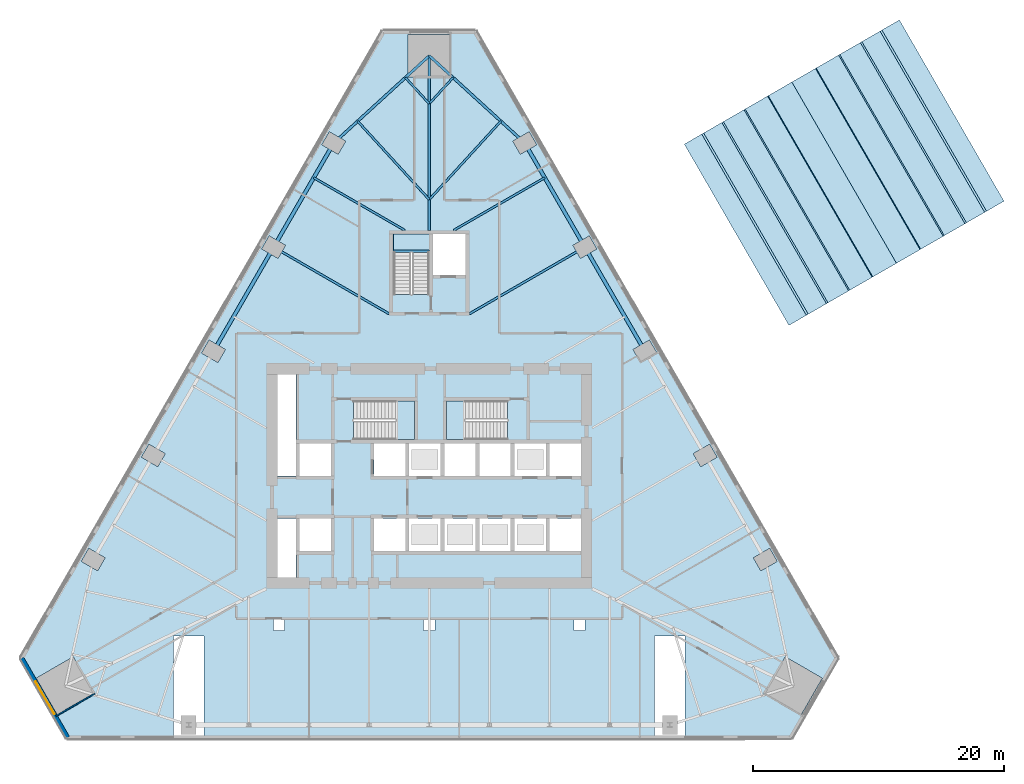
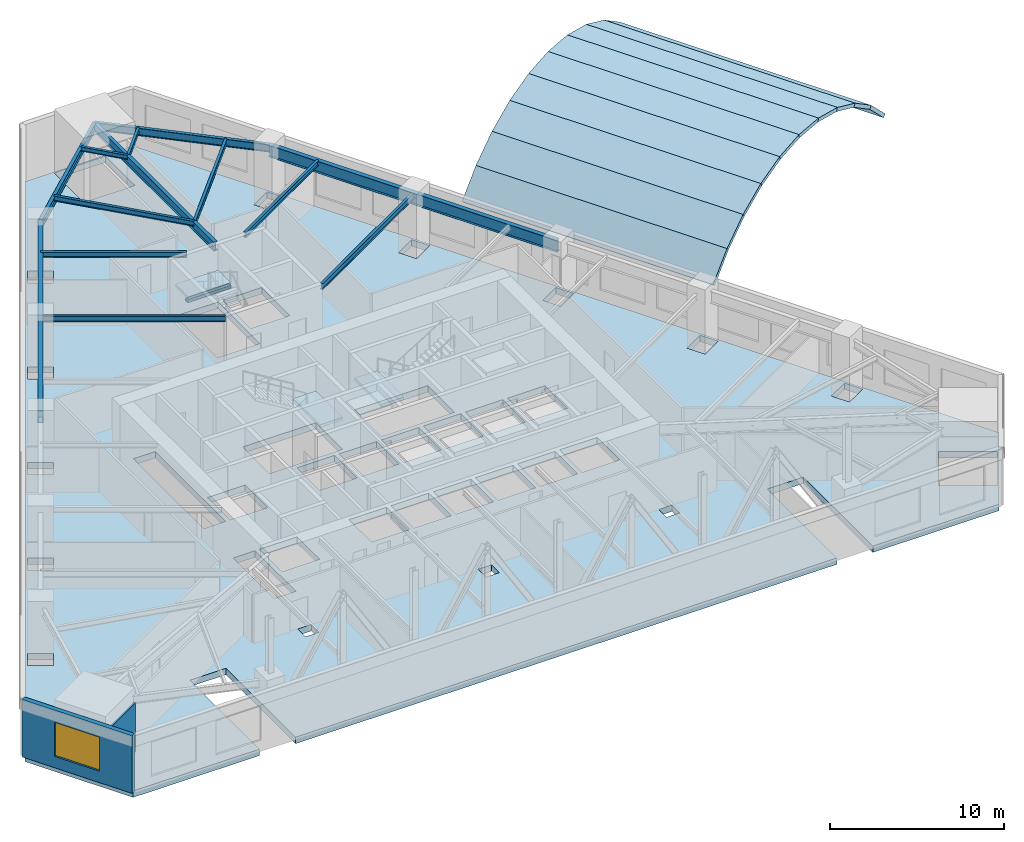
# One storey, part 4 of 11: 14 beams, 14 slabs, 2 walls, 1 window, 1 opening, 3 elements without a shape of their own.
"""IFC4 building model written with IfcOpenShell, lengths in metres."""

import ifcopenshell
import ifcopenshell.guid

model = None  # the IFC model being written
_history = None  # IfcOwnerHistory: only IFC2X3 demands one
_inside = {}  # id of a spatial element -> (the spatial element, [elements in it])
_under = {}  # id of a project, library or spatial element -> (it, [spatial elements below it])
_declared = {}  # id of a project -> (the project, [libraries it declares])
_typed = {}  # id of a type object -> (the type object, [elements of that type])
_made_of = {}  # id of a material, layer set ... -> (it, [elements and type objects made of it])


def new_model(schema):
    """Start an empty IFC model of exactly this schema.

    Asked for "IFC4X3", IfcOpenShell would pick the latest addendum, in which some entities
    have other attributes; the version numbers below select the first issue.
    IFC2X3 requires an IfcOwnerHistory on every rooted entity: one is made here for all.
    """
    global model, _history
    if schema == "IFC4X3":
        model = ifcopenshell.file(schema_version=(4, 3, 0, 0))
    else:
        model = ifcopenshell.file(schema=schema)
    _inside.clear()
    _under.clear()
    _declared.clear()
    _typed.clear()
    _made_of.clear()
    _history = None
    if model.schema == "IFC2X3":
        org = make("IfcOrganization", Name="unknown")
        user = make(
            "IfcPersonAndOrganization",
            ThePerson=make("IfcPerson", FamilyName="unknown"),
            TheOrganization=org,
        )
        app = make(
            "IfcApplication",
            ApplicationDeveloper=org,
            Version="unknown",
            ApplicationFullName="unknown",
            ApplicationIdentifier="unknown",
        )
        _history = make(
            "IfcOwnerHistory",
            OwningUser=user,
            OwningApplication=app,
            ChangeAction="ADDED",
            CreationDate=0,
        )
    return model


def make(cls, **values):
    """One entity of the class cls with the attributes given. An attribute that is None is left unset."""
    return model.create_entity(
        cls, **{name: value for name, value in values.items() if value is not None}
    )


def rooted(cls, **values):
    """An entity with a GlobalId (a new one), such as an element, a storey or a relation."""
    return make(cls, GlobalId=ifcopenshell.guid.new(), OwnerHistory=_history, **values)


def si_unit(unit_type, name, prefix=None):
    """IfcSIUnit, for example si_unit("LENGTHUNIT", "METRE", prefix="MILLI")."""
    return make("IfcSIUnit", UnitType=unit_type, Prefix=prefix, Name=name)


def assignment(units):
    """IfcUnitAssignment: the units of a project."""
    return None if units is None else make("IfcUnitAssignment", Units=units)


def point(xyz):
    """IfcCartesianPoint."""
    return None if xyz is None else make("IfcCartesianPoint", Coordinates=xyz)


def direction(xyz):
    """IfcDirection."""
    return None if xyz is None else make("IfcDirection", DirectionRatios=xyz)


def frame(location, z_axis=None, x_axis=None):
    """IfcAxis2Placement3D, a coordinate frame: its origin and axes. An axis left out is left unset."""
    return make(
        "IfcAxis2Placement3D",
        Location=point(location),
        Axis=direction(z_axis),
        RefDirection=direction(x_axis),
    )


def frame_2d(location, x_axis=None):
    """IfcAxis2Placement2D, a coordinate frame in the plane: its origin and x axis."""
    return make(
        "IfcAxis2Placement2D", Location=point(location), RefDirection=direction(x_axis)
    )


def origin():
    """The frame at (0, 0, 0) with its axes left unset."""
    return frame((0.0, 0.0, 0.0))


def origin_2d():
    """The frame at (0, 0) in the plane with its x axis left unset."""
    return frame_2d((0.0, 0.0))


def place(relative_to, where):
    """IfcLocalPlacement: puts the frame where relative to a parent placement (None: the world)."""
    return make(
        "IfcLocalPlacement", PlacementRelTo=relative_to, RelativePlacement=where
    )


def context(
    kind, dimensions, precision=None, world=None, true_north=None, identifier=None
):
    """IfcGeometricRepresentationContext, for example the 3D "Model" context."""
    return make(
        "IfcGeometricRepresentationContext",
        ContextIdentifier=identifier,
        ContextType=kind,
        CoordinateSpaceDimension=dimensions,
        Precision=precision,
        WorldCoordinateSystem=world,
        TrueNorth=true_north,
    )


def subcontext(parent, identifier, kind, view, scale=None):
    """IfcGeometricRepresentationSubContext, for example "Body" below "Model"."""
    return make(
        "IfcGeometricRepresentationSubContext",
        ContextIdentifier=identifier,
        ContextType=kind,
        ParentContext=parent,
        TargetScale=scale,
        TargetView=view,
    )


def project(units=None, contexts=None):
    """IfcProject with its units and contexts."""
    return rooted(
        "IfcProject",
        Name="project",
        RepresentationContexts=contexts,
        UnitsInContext=assignment(units),
    )


def spatial(cls, under=None, at=None, **own):
    """A site, building, storey or space (cls), placed at a placement, below another one or the project."""
    s = rooted(cls, ObjectPlacement=at, **own)
    if under is not None:
        _under.setdefault(under.id(), (under, []))[1].append(s)
    return s


def polyline(points):
    """IfcPolyline through the points."""
    return make("IfcPolyline", Points=[point(p) for p in points])


def profile(cls, at=None, kind="AREA", **sizes):
    """A parametric profile (cls). Its sizes go by their IFC names, for example OverallWidth=200.0."""
    return make(cls, ProfileType=kind, Position=at, **sizes)


def rectangle(**sizes):
    """IfcRectangleProfileDef."""
    return profile("IfcRectangleProfileDef", **sizes)


def i_section(**sizes):
    """IfcIShapeProfileDef."""
    return profile("IfcIShapeProfileDef", **sizes)


def outline(outer, holes=None, kind="AREA"):
    """IfcArbitraryClosedProfileDef: a profile drawn as a closed curve; with holes, ...WithVoids."""
    if holes is None:
        return make("IfcArbitraryClosedProfileDef", ProfileType=kind, OuterCurve=outer)
    return make(
        "IfcArbitraryProfileDefWithVoids",
        ProfileType=kind,
        OuterCurve=outer,
        InnerCurves=holes,
    )


def extrude(swept, where, along, depth):
    """IfcExtrudedAreaSolid: the profile swept, set in the frame where, extruded along a direction by depth."""
    return make(
        "IfcExtrudedAreaSolid",
        SweptArea=swept,
        Position=where,
        ExtrudedDirection=direction(along),
        Depth=depth,
    )


def shape(context_of_items, identifier, shape_type, items):
    """IfcShapeRepresentation: the items that make up one representation, for example the "Body"."""
    return make(
        "IfcShapeRepresentation",
        ContextOfItems=context_of_items,
        RepresentationIdentifier=identifier,
        RepresentationType=shape_type,
        Items=items,
    )


def material(Name=None, Category=None):
    """IfcMaterial."""
    return make("IfcMaterial", Name=Name, Category=Category)


def layer(
    of_material, thickness, ventilated=None, Name=None, Category=None, Priority=None
):
    """IfcMaterialLayer: one layer of a wall or slab, of a material (None: an air gap)."""
    return make(
        "IfcMaterialLayer",
        Material=of_material,
        LayerThickness=thickness,
        IsVentilated=ventilated,
        Name=Name,
        Category=Category,
        Priority=Priority,
    )


def layer_set(layers, Name=None):
    """IfcMaterialLayerSet."""
    return make("IfcMaterialLayerSet", MaterialLayers=layers, LayerSetName=Name)


def material_profile(
    of_material, cross_section, Name=None, Category=None, Priority=None
):
    """IfcMaterialProfile: a cross section and its material."""
    return make(
        "IfcMaterialProfile",
        Name=Name,
        Material=of_material,
        Profile=cross_section,
        Priority=Priority,
        Category=Category,
    )


def profile_set(profiles, Name=None, composite=None):
    """IfcMaterialProfileSet."""
    return make(
        "IfcMaterialProfileSet",
        Name=Name,
        MaterialProfiles=profiles,
        CompositeProfile=composite,
    )


def made_of(thing, what):
    """Note that an element or type object is made of a material, layer set ...; save() writes the relation."""
    if what is not None:
        _made_of.setdefault(what.id(), (what, []))[1].append(thing)
    return thing


def type_object(cls, material=None, **own):
    """A type object (cls), such as IfcWallType, which elements share."""
    return made_of(rooted(cls, **own), material)


def element(
    cls,
    number,
    at=None,
    inside=None,
    cuts=None,
    type_object=None,
    material=None,
    context=None,
    identifier="Body",
    shape_type=None,
    held_by="IfcProductDefinitionShape",
    body=None,
    shapes=None,
    **own,
):
    """One element of the class cls, such as IfcWall. Its Tag is "e" and its number.

    at: its placement. inside: the storey or other place that contains it. cuts: it is an
    opening in that element (IfcRelVoidsElement). A single representation is given by context,
    identifier, shape_type and body (its items); several are given by shapes. held_by: the class
    of the entity that holds the representations. save() writes the other relations.
    """
    e = rooted(cls, Tag="e%d" % number, ObjectPlacement=at, **own)
    if body is not None:
        shapes = [shape(context, identifier, shape_type, body)]
    if shapes is not None:
        e.Representation = make(held_by, Representations=shapes)
    if inside is not None:
        _inside.setdefault(inside.id(), (inside, []))[1].append(e)
    if cuts is not None:
        rooted(
            "IfcRelVoidsElement", RelatingBuildingElement=cuts, RelatedOpeningElement=e
        )
    if type_object is not None:
        _typed.setdefault(type_object.id(), (type_object, []))[1].append(e)
    return made_of(e, material)


def fill(opening, filler):
    """IfcRelFillsElement: the door or window that sits in an opening."""
    return rooted(
        "IfcRelFillsElement",
        RelatingOpeningElement=opening,
        RelatedBuildingElement=filler,
    )


def aggregate(whole, parts):
    """IfcRelAggregates: a whole, such as a stair, and the parts it consists of."""
    return rooted("IfcRelAggregates", RelatingObject=whole, RelatedObjects=parts)


def save(model, path):
    """Write the relations noted so far, then the file.

    IfcRelAggregates (storeys below a building ...), IfcRelContainedInSpatialStructure (elements
    in a storey), IfcRelDefinesByType, IfcRelAssociatesMaterial and IfcRelDeclares: one each for
    every whole, place, type object, material and project.
    """
    for whole, parts in _under.values():
        aggregate(whole, parts)
    for where, things in _inside.values():
        rooted(
            "IfcRelContainedInSpatialStructure",
            RelatedElements=things,
            RelatingStructure=where,
        )
    for kind, things in _typed.values():
        rooted("IfcRelDefinesByType", RelatedObjects=things, RelatingType=kind)
    for what, things in _made_of.values():
        rooted("IfcRelAssociatesMaterial", RelatedObjects=things, RelatingMaterial=what)
    for by, libraries in _declared.values():
        rooted("IfcRelDeclares", RelatingContext=by, RelatedDefinitions=libraries)
    model.write(path)


model = new_model("IFC4")

# Units and contexts
model_context = context("Model", 3, precision=1e-05, world=origin(), true_north=direction((0.0, 1.0)))
body_context = subcontext(model_context, "Body", "Model", "MODEL_VIEW")
ifc_project = project(units=[si_unit("LENGTHUNIT", "METRE"), si_unit("AREAUNIT", "SQUARE_METRE"), si_unit("VOLUMEUNIT", "CUBIC_METRE"), si_unit("PLANEANGLEUNIT", "RADIAN"), si_unit("MASSUNIT", "GRAM", prefix="KILO")], contexts=[model_context])

# Site, building, storey
site_placement = place(None, origin())
site = spatial("IfcSite", under=ifc_project, at=site_placement, CompositionType="ELEMENT")
building_placement = place(site_placement, origin())
building = spatial("IfcBuilding", under=site, at=building_placement, Name="Firuza Gate Tower and Library", CompositionType="ELEMENT")
storey_placement = place(building_placement, frame((0.0, 0.0, 31.0)))
storey = spatial("IfcBuildingStorey", under=building, at=storey_placement, Name="L06", CompositionType="ELEMENT", Elevation=31.0)

# Beams
ifc_material_1 = material(Name="Concrete C35/45", Category="concrete")
ifc_material_profile_1 = material_profile(ifc_material_1, rectangle(XDim=0.199951171875, YDim=0.199951171875, at=origin_2d()))
ifc_profile_set_1 = profile_set([ifc_material_profile_1], Name="Concrete C35/45")
beam_type_1 = type_object("IfcBeamType", Name="Stair landing bearer 200x200", PredefinedType="BEAM", material=ifc_profile_set_1)
beam_1_placement = place(storey_placement, frame((75.0, 92.929931640625, 1.949951171875), z_axis=(-1.0, 0.0, 0.0), x_axis=(0.0, -1.0, 0.0)))
element("IfcBeam", 1, at=beam_1_placement, inside=storey, type_object=beam_type_1, Name="Landing bearer L06 stair 3", PredefinedType="BEAM", context=body_context, shape_type="SweptSolid", body=[
    extrude(rectangle(XDim=0.199951171875, YDim=0.199951171875, at=origin_2d()), origin(), (0.0, 0.0, 1.0), 2.89990234375),
])
ifc_material_2 = material(Name="Steel S355", Category="steel")
ifc_material_profile_2 = material_profile(ifc_material_2, i_section(OverallWidth=0.1650390625, OverallDepth=0.31005859375, WebThickness=0.005859375, FlangeThickness=0.009765625, at=origin_2d()))
ifc_profile_set_2 = profile_set([ifc_material_profile_2], Name="Steel S355")
beam_type_2 = type_object("IfcBeamType", Name="W310x39 Floor beam", PredefinedType="JOIST", material=ifc_profile_set_2)
for number, where, z_axis, x_axis, name in (
    (2, (76.905029296875, 106.79296875, 3.89501953125), (-0.674533736892, -0.738244023203, 0.0), (0.738244023203, -0.674533736892, 0.0), "Floor beam L06 s61"),
    (3, (73.094970703125, 106.79296875, 3.89501953125), (0.674533736892, -0.738244023203, 0.0), (0.738244023203, 0.674533736892, 0.0), "Floor beam L06 s70"),
):
    element("IfcBeam", number, at=place(storey_placement, frame(where, z_axis=z_axis, x_axis=x_axis)), inside=storey, type_object=beam_type_2, Name=name, PredefinedType="JOIST", context=body_context, shape_type="SweptSolid", body=[
        extrude(i_section(OverallWidth=0.1650390625, OverallDepth=0.31005859375, WebThickness=0.005859375, FlangeThickness=0.009765625, at=origin_2d()), origin(), (0.0, 0.0, 1.0), 2.82421875),
    ])
ifc_material_3 = material(Name="Steel S355", Category="steel")
ifc_material_profile_3 = material_profile(ifc_material_3, i_section(OverallWidth=0.1708984375, OverallDepth=0.35498046875, WebThickness=0.007080078125, FlangeThickness=0.01171875, at=origin_2d()))
ifc_profile_set_3 = profile_set([ifc_material_profile_3], Name="Steel S355")
beam_type_3 = type_object("IfcBeamType", Name="W360x51 Floor beam", PredefinedType="JOIST", material=ifc_profile_set_3)
beam_2_placement = place(storey_placement, frame((84.220458984375, 98.798828125, 3.87255859375), z_axis=(-0.866019517829, -0.500010194636, 0.0), x_axis=(0.500010194636, -0.866019517829, 0.0)))
element("IfcBeam", 4, at=beam_2_placement, inside=storey, type_object=beam_type_3, Name="Floor beam L06 s55", PredefinedType="JOIST", context=body_context, shape_type="SweptSolid", body=[
    extrude(i_section(OverallWidth=0.1708984375, OverallDepth=0.35498046875, WebThickness=0.007080078125, FlangeThickness=0.01171875, at=origin_2d()), origin(), (0.0, 0.0, 1.0), 8.397216796875),
])
for number, where, z_axis, x_axis, name in (
    (5, (80.71533203125, 103.31103515625, 3.87255859375), (-0.674578139258, -0.7382034503, 0.0), (0.7382034503, -0.674578139258, 0.0), "Floor beam L06 s60"),
    (6, (69.28466796875, 103.31103515625, 3.87255859375), (0.674578139258, -0.7382034503, 0.0), (0.7382034503, 0.674578139258, 0.0), "Floor beam L06 s71"),
):
    element("IfcBeam", number, at=place(storey_placement, frame(where, z_axis=z_axis, x_axis=x_axis)), inside=storey, type_object=beam_type_3, Name=name, PredefinedType="JOIST", context=body_context, shape_type="SweptSolid", body=[
        extrude(i_section(OverallWidth=0.1708984375, OverallDepth=0.35498046875, WebThickness=0.007080078125, FlangeThickness=0.01171875, at=origin_2d()), origin(), (0.0, 0.0, 1.0), 8.472412109375),
    ])
beam_3_placement = place(storey_placement, frame((65.779541015625, 98.798828125, 3.87255859375), z_axis=(0.866019517829, -0.500010194636, 0.0), x_axis=(0.500010194636, 0.866019517829, 0.0)))
element("IfcBeam", 7, at=beam_3_placement, inside=storey, type_object=beam_type_3, Name="Floor beam L06 s80", PredefinedType="JOIST", context=body_context, shape_type="SweptSolid", body=[
    extrude(i_section(OverallWidth=0.1708984375, OverallDepth=0.35498046875, WebThickness=0.007080078125, FlangeThickness=0.01171875, at=origin_2d()), origin(), (0.0, 0.0, 1.0), 8.397216796875),
])
ifc_material_4 = material(Name="Steel S355", Category="steel")
ifc_material_profile_4 = material_profile(ifc_material_4, i_section(OverallWidth=0.177978515625, OverallDepth=0.406982421875, WebThickness=0.0078125, FlangeThickness=0.0126953125, at=origin_2d()))
ifc_profile_set_4 = profile_set([ifc_material_profile_4], Name="Steel S355")
beam_type_4 = type_object("IfcBeamType", Name="W410x60 Floor beam", PredefinedType="JOIST", material=ifc_profile_set_4)
for number, where, z_axis, x_axis, name in (
    (8, (87.420654296875, 93.256103515625, 3.846435546875), (-0.866029027547, -0.499993723407, 0.0), (0.499993723407, -0.866029027547, 0.0), "Floor beam L06 s54"),
    (9, (62.579345703125, 93.256103515625, 3.846435546875), (0.866029027547, -0.499993723407, 0.0), (0.499993723407, 0.866029027547, 0.0), "Floor beam L06 s81"),
):
    element("IfcBeam", number, at=place(storey_placement, frame(where, z_axis=z_axis, x_axis=x_axis)), inside=storey, type_object=beam_type_4, Name=name, PredefinedType="JOIST", context=body_context, shape_type="SweptSolid", body=[
        extrude(i_section(OverallWidth=0.177978515625, OverallDepth=0.406982421875, WebThickness=0.0078125, FlangeThickness=0.0126953125, at=origin_2d()), origin(), (0.0, 0.0, 1.0), 10.647216796875),
    ])
ifc_material_5 = material(Name="Steel S355", Category="steel")
ifc_material_profile_5 = material_profile(ifc_material_5, i_section(OverallWidth=0.212890625, OverallDepth=0.5390625, WebThickness=0.01171875, FlangeThickness=0.018798828125, at=origin_2d()))
ifc_profile_set_5 = profile_set([ifc_material_profile_5], Name="Steel S355")
beam_type_5 = type_object("IfcBeamType", Name="W530x109 Edge beam", PredefinedType="SPANDREL", material=ifc_profile_set_5)
for number, where, z_axis, x_axis, name in (
    (10, (82.62060546875, 101.570068359375, 3.780517578125), (-0.738199730284, 0.674582210118, 0.0), (-0.674582210118, -0.738199730284, 0.0), "Edge beam L06 e60"),
    (11, (75.0, 108.533935546875, 3.780517578125), (-0.738199730284, -0.674582210118, 0.0), (0.674582210118, -0.738199730284, 0.0), "Edge beam L06 e70"),
):
    element("IfcBeam", number, at=place(storey_placement, frame(where, z_axis=z_axis, x_axis=x_axis)), inside=storey, type_object=beam_type_5, Name=name, PredefinedType="SPANDREL", context=body_context, shape_type="SweptSolid", body=[
        extrude(i_section(OverallWidth=0.212890625, OverallDepth=0.5390625, WebThickness=0.01171875, FlangeThickness=0.018798828125, at=origin_2d()), origin(), (0.0, 0.0, 1.0), 10.3232421875),
    ])
ifc_material_6 = material(Name="Steel S355", Category="steel")
ifc_material_profile_6 = material_profile(ifc_material_6, i_section(OverallWidth=0.22802734375, OverallDepth=0.60302734375, WebThickness=0.010498046875, FlangeThickness=0.014892578125, at=origin_2d()))
ifc_profile_set_6 = profile_set([ifc_material_profile_6], Name="Steel S355")
beam_type_6 = type_object("IfcBeamType", Name="W610x101 Girder", PredefinedType="BEAM", material=ifc_profile_set_6)
beam_4_placement = place(storey_placement, frame((75.0, 108.533935546875, 3.74853515625), z_axis=(0.0, -1.0, 0.0), x_axis=(1.0, 0.0, 0.0)))
element("IfcBeam", 12, at=beam_4_placement, inside=storey, type_object=beam_type_6, Name="Girder L06 gN", PredefinedType="BEAM", context=body_context, shape_type="SweptSolid", body=[
    extrude(i_section(OverallWidth=0.22802734375, OverallDepth=0.60302734375, WebThickness=0.010498046875, FlangeThickness=0.014892578125, at=origin_2d()), origin(), (0.0, 0.0, 1.0), 13.933837890625),
])
ifc_material_7 = material(Name="Steel S355", Category="steel")
ifc_material_profile_7 = material_profile(ifc_material_7, i_section(OverallWidth=0.2919921875, OverallDepth=0.8349609375, WebThickness=0.013916015625, FlangeThickness=0.018798828125, at=origin_2d()))
ifc_profile_set_7 = profile_set([ifc_material_profile_7], Name="Steel S355")
beam_type_7 = type_object("IfcBeamType", Name="W840x176 Edge beam", PredefinedType="SPANDREL", material=ifc_profile_set_7)
for number, where, z_axis, x_axis, name in (
    (13, (92.220458984375, 84.9423828125, 3.632568359375), (-0.499994327668, 0.866028678682, 0.0), (-0.866028678682, -0.499994327668, 0.0), "Edge beam L06 e52"),
    (14, (67.37939453125, 101.570068359375, 3.632568359375), (-0.499994327668, -0.866028678682, 0.0), (0.866028678682, -0.499994327668, 0.0), "Edge beam L06 e80"),
):
    element("IfcBeam", number, at=place(storey_placement, frame(where, z_axis=z_axis, x_axis=x_axis)), inside=storey, type_object=beam_type_7, Name=name, PredefinedType="SPANDREL", context=body_context, shape_type="SweptSolid", body=[
        extrude(i_section(OverallWidth=0.2919921875, OverallDepth=0.8349609375, WebThickness=0.013916015625, FlangeThickness=0.018798828125, at=origin_2d()), origin(), (0.0, 0.0, 1.0), 19.199951171875),
    ])

# Slabs
ifc_material_8 = material(Name="Concrete C40/50", Category="concrete")
ifc_layer_1 = layer(ifc_material_8, 0.449951171875)
ifc_layer_set_1 = layer_set([ifc_layer_1], Name="Composite floor slab 450 C40/50")
slab_type_1 = type_object("IfcSlabType", Name="Composite floor slab 450 C40/50", PredefinedType="FLOOR", material=ifc_layer_set_1)
slab_1_placement = place(storey_placement, frame((0.0, 0.0, -0.449951171875)))
element("IfcSlab", 15, at=slab_1_placement, inside=storey, type_object=slab_type_1, Name="Floor slab L06", PredefinedType="FLOOR", context=body_context, shape_type="SweptSolid", body=[
    extrude(outline(polyline([(46.199951171875, 54.21533203125), (54.60009765625, 54.21533203125), (54.60009765625, 62.21533203125), (57.0, 62.21533203125), (57.0, 54.21533203125), (93.0, 54.21533203125), (93.0, 62.21533203125), (95.39990234375, 62.21533203125), (95.39990234375, 54.21533203125), (103.800048828125, 54.21533203125), (107.39990234375, 60.45068359375), (78.60009765625, 110.333740234375), (71.39990234375, 110.333740234375), (42.60009765625, 60.45068359375), (46.199951171875, 54.21533203125)]), holes=[polyline([(43.63671875, 58.855224609375), (46.5810546875, 60.555419921875), (48.281005859375, 57.61083984375), (45.336669921875, 55.910888671875), (43.63671875, 58.855224609375)]), polyline([(74.550048828125, 62.665283203125), (74.550048828125, 63.5654296875), (75.449951171875, 63.5654296875), (75.449951171875, 62.665283203125), (74.550048828125, 62.665283203125)]), polyline([(62.550048828125, 62.665283203125), (62.550048828125, 63.5654296875), (63.449951171875, 63.5654296875), (63.449951171875, 62.665283203125), (62.550048828125, 62.665283203125)]), polyline([(47.829833984375, 69.209228515625), (49.12890625, 68.459228515625), (48.529052734375, 67.419921875), (47.22998046875, 68.169921875), (47.829833984375, 69.209228515625)]), polyline([(64.35009765625, 66.89990234375), (62.89990234375, 66.89990234375), (62.89990234375, 71.60009765625), (64.35009765625, 71.60009765625), (64.35009765625, 66.89990234375)]), polyline([(67.14990234375, 69.0), (64.64990234375, 69.0), (64.64990234375, 71.60009765625), (67.14990234375, 71.60009765625), (67.14990234375, 69.0)]), polyline([(70.60009765625, 69.0), (70.60009765625, 71.60009765625), (73.10009765625, 71.60009765625), (73.10009765625, 69.0), (70.60009765625, 69.0)]), polyline([(73.39990234375, 69.0), (73.39990234375, 71.60009765625), (75.89990234375, 71.60009765625), (75.89990234375, 69.0), (73.39990234375, 69.0)]), polyline([(67.14990234375, 75.0), (64.64990234375, 75.0), (64.64990234375, 77.60009765625), (67.14990234375, 77.60009765625), (67.14990234375, 75.0)]), polyline([(73.10009765625, 75.0), (70.60009765625, 75.0), (70.60009765625, 77.60009765625), (73.10009765625, 77.60009765625), (73.10009765625, 75.0)]), polyline([(75.89990234375, 75.0), (73.39990234375, 75.0), (73.39990234375, 77.60009765625), (75.89990234375, 77.60009765625), (75.89990234375, 75.0)]), polyline([(53.928955078125, 76.773193359375), (53.328857421875, 75.73388671875), (52.02978515625, 76.48388671875), (52.6298828125, 77.523193359375), (53.928955078125, 76.773193359375)]), polyline([(62.89990234375, 75.0), (62.89990234375, 83.10009765625), (64.35009765625, 83.10009765625), (64.35009765625, 75.0), (62.89990234375, 75.0)]), polyline([(73.81005859375, 77.89990234375), (68.9404296875, 77.89990234375), (68.9404296875, 80.97998046875), (73.81005859375, 80.97998046875), (73.81005859375, 77.89990234375)]), polyline([(57.429931640625, 85.8369140625), (58.72900390625, 85.0869140625), (58.12890625, 84.047607421875), (56.829833984375, 84.797607421875), (57.429931640625, 85.8369140625)]), polyline([(72.159912109375, 89.470458984375), (72.159912109375, 94.300048828125), (75.0, 94.300048828125), (75.0, 89.470458984375), (72.159912109375, 89.470458984375)]), polyline([(63.529052734375, 93.40087890625), (62.928955078125, 92.361572265625), (61.6298828125, 93.111572265625), (62.22998046875, 94.15087890625), (63.529052734375, 93.40087890625)]), polyline([(68.328857421875, 101.714599609375), (67.72900390625, 100.67529296875), (66.429931640625, 101.42529296875), (67.02978515625, 102.464599609375), (68.328857421875, 101.714599609375)]), polyline([(104.663330078125, 55.910888671875), (101.718994140625, 57.61083984375), (103.4189453125, 60.555419921875), (106.36328125, 58.855224609375), (104.663330078125, 55.910888671875)]), polyline([(86.550048828125, 62.665283203125), (86.550048828125, 63.5654296875), (87.449951171875, 63.5654296875), (87.449951171875, 62.665283203125), (86.550048828125, 62.665283203125)]), polyline([(102.77001953125, 68.169921875), (101.470947265625, 67.419921875), (100.87109375, 68.459228515625), (102.170166015625, 69.209228515625), (102.77001953125, 68.169921875)]), polyline([(84.300048828125, 69.0), (81.800048828125, 69.0), (81.800048828125, 71.60009765625), (84.300048828125, 71.60009765625), (84.300048828125, 69.0)]), polyline([(87.10009765625, 69.0), (84.60009765625, 69.0), (84.60009765625, 71.60009765625), (87.10009765625, 71.60009765625), (87.10009765625, 69.0)]), polyline([(81.5, 69.0), (79.0, 69.0), (79.0, 71.60009765625), (81.5, 71.60009765625), (81.5, 69.0)]), polyline([(76.199951171875, 69.0), (76.199951171875, 71.60009765625), (78.699951171875, 71.60009765625), (78.699951171875, 69.0), (76.199951171875, 69.0)]), polyline([(81.800048828125, 75.0), (81.800048828125, 77.60009765625), (84.300048828125, 77.60009765625), (84.300048828125, 75.0), (81.800048828125, 75.0)]), polyline([(81.5, 75.0), (79.0, 75.0), (79.0, 77.60009765625), (81.5, 77.60009765625), (81.5, 75.0)]), polyline([(87.10009765625, 75.0), (84.60009765625, 75.0), (84.60009765625, 77.60009765625), (87.10009765625, 77.60009765625), (87.10009765625, 75.0)]), polyline([(78.699951171875, 75.0), (76.199951171875, 75.0), (76.199951171875, 77.60009765625), (78.699951171875, 77.60009765625), (78.699951171875, 75.0)]), polyline([(96.671142578125, 75.73388671875), (96.071044921875, 76.773193359375), (97.3701171875, 77.523193359375), (97.97021484375, 76.48388671875), (96.671142578125, 75.73388671875)]), polyline([(76.389892578125, 77.89990234375), (76.389892578125, 80.97998046875), (81.259521484375, 80.97998046875), (81.259521484375, 77.89990234375), (76.389892578125, 77.89990234375)]), polyline([(93.170166015625, 84.797607421875), (91.87109375, 84.047607421875), (91.27099609375, 85.0869140625), (92.570068359375, 85.8369140625), (93.170166015625, 84.797607421875)]), polyline([(77.89990234375, 91.050048828125), (75.300048828125, 91.050048828125), (75.300048828125, 94.300048828125), (77.89990234375, 94.300048828125), (77.89990234375, 91.050048828125)]), polyline([(88.3701171875, 93.111572265625), (87.071044921875, 92.361572265625), (86.470947265625, 93.40087890625), (87.77001953125, 94.15087890625), (88.3701171875, 93.111572265625)]), polyline([(82.27099609375, 100.67529296875), (81.671142578125, 101.714599609375), (82.97021484375, 102.464599609375), (83.570068359375, 101.42529296875), (82.27099609375, 100.67529296875)]), polyline([(76.699951171875, 106.833740234375), (73.300048828125, 106.833740234375), (73.300048828125, 110.23388671875), (76.699951171875, 110.23388671875), (76.699951171875, 106.833740234375)])]), origin(), (0.0, 0.0, 1.0), 0.449951171875),
])
ifc_material_9 = material(Name="Concrete C40/50", Category="concrete")
ifc_layer_2 = layer(ifc_material_9, 0.25)
ifc_layer_set_2 = layer_set([ifc_layer_2], Name="LIB VAULT ROOF PANEL 250")
slab_type_2 = type_object("IfcSlabType", Name="LIB VAULT ROOF PANEL 250", PredefinedType="ROOF", material=ifc_layer_set_2)
slab_2_placement = place(storey_placement, frame((105.10302734375, 87.81884765625, -2.8505859375), z_axis=(-0.605392147169, -0.349526869418, 0.715074342779), x_axis=(-0.50000380905, 0.866023204617, 0.0)))
element("IfcSlab", 16, at=slab_2_placement, inside=storey, type_object=slab_type_2, Name="Reading hall vault roof panel 1", PredefinedType="ROOF", context=body_context, shape_type="SweptSolid", body=[
    extrude(outline(polyline([(0.0, 0.0), (16.700068089708985, -8.881784197001252e-16), (16.700142641609816, 2.246706537751036), (7.455190082938934e-05, 2.2467065377510367), (0.0, 0.0)])), origin(), (0.0, 0.0, -1.0), 0.25),
])
slab_3_placement = place(storey_placement, frame((106.706787109375, 88.744873046875, -1.578125), z_axis=(-0.490436878599, -0.283156740017, 0.824192895318), x_axis=(-0.50000380905, 0.866023204617, 0.0)))
element("IfcSlab", 17, at=slab_3_placement, inside=storey, type_object=slab_type_2, Name="Reading hall vault roof panel 2", PredefinedType="ROOF", context=body_context, shape_type="SweptSolid", body=[
    extrude(outline(polyline([(0.0, 0.0), (16.700068089708985, 0.0), (16.699994604976787, 2.2469368575870377), (-7.348473219922911e-05, 2.2469368575870377), (0.0, 0.0)])), origin(), (0.0, 0.0, -1.0), 0.25),
])
slab_4_placement = place(storey_placement, frame((108.475341796875, 89.76611328125, -0.641357421875), z_axis=(-0.361063627216, -0.208461011778, 0.908942827503), x_axis=(-0.499999577717, 0.866025647589, 1.013909e-06)))
element("IfcSlab", 18, at=slab_4_placement, inside=storey, type_object=slab_type_2, Name="Reading hall vault roof panel 3", PredefinedType="ROOF", context=body_context, shape_type="SweptSolid", body=[
    extrude(outline(polyline([(0.0, 0.0), (16.69973458724879, 0.0), (16.699923501304514, 2.2469124987902345), (-0.00014458819655168987, 2.2468312738516762), (0.0, 0.0)])), origin(), (0.0, 0.0, -1.0), 0.25),
])
slab_5_placement = place(storey_placement, frame((110.356689453125, 90.852294921875, -0.068115234375), z_axis=(-0.220960731621, -0.127571457209, 0.966903241481), x_axis=(-0.499999174957, 0.866025880123, 0.0)))
element("IfcSlab", 19, at=slab_5_placement, inside=storey, type_object=slab_type_2, Name="Reading hall vault roof panel 4", PredefinedType="ROOF", context=body_context, shape_type="SweptSolid", body=[
    extrude(outline(polyline([(0.0, 0.0), (16.699734587259186, 0.0), (16.699745451895254, 2.2467456833206403), (1.0864636066365563e-05, 2.2467456833206403), (0.0, 0.0)])), origin(), (0.0, 0.0, -1.0), 0.25),
])
slab_6_placement = place(storey_placement, frame((112.29541015625, 91.971435546875, 0.125), z_axis=(-0.074431947315, -0.042972847559, 0.996299763922), x_axis=(-0.499992868011, 0.866029521401, 3.12953e-07)))
element("IfcSlab", 20, at=slab_6_placement, inside=storey, type_object=slab_type_2, Name="Reading hall vault roof panel 5", PredefinedType="ROOF", context=body_context, shape_type="SweptSolid", body=[
    extrude(outline(polyline([(0.0, 0.0), (16.699946019804145, 0.0), (16.699872231158533, 2.24698769611991), (0.0001376443430127406, 2.246866079236837), (0.0, 0.0)])), origin(), (0.0, 0.0, -1.0), 0.25),
])
slab_7_placement = place(storey_placement, frame((114.234130859375, 93.0908203125, -0.068115234375), z_axis=(0.07443009007, 0.042971412591, 0.996299964565), x_axis=(-0.499992844631, 0.866029534899, 0.0)))
element("IfcSlab", 21, at=slab_7_placement, inside=storey, type_object=slab_type_2, Name="Reading hall vault roof panel 6", PredefinedType="ROOF", context=body_context, shape_type="SweptSolid", body=[
    extrude(outline(polyline([(0.0, 0.0), (16.69994601980497, 0.0), (16.69987223115771, 2.246987696126033), (-7.37886472582674e-05, 2.246987696126033), (0.0, 0.0)])), origin(), (0.0, 0.0, -1.0), 0.25),
])
slab_8_placement = place(storey_placement, frame((116.115478515625, 94.177001953125, -0.641357421875), z_axis=(0.220961664111, 0.127569842068, 0.966903241482), x_axis=(-0.499992844631, 0.866029534899, 0.0)))
element("IfcSlab", 22, at=slab_8_placement, inside=storey, type_object=slab_type_2, Name="Reading hall vault roof panel 7", PredefinedType="ROOF", context=body_context, shape_type="SweptSolid", body=[
    extrude(outline(polyline([(0.0, 0.0), (16.69994601980497, 0.0), (16.69994100514649, 2.246745683341313), (-5.014658479129963e-06, 2.246745683341313), (0.0, 0.0)])), origin(), (0.0, 0.0, -1.0), 0.25),
])
slab_9_placement = place(storey_placement, frame((117.88427734375, 95.1982421875, -1.578125), z_axis=(0.36105547428, 0.208454545208, 0.908947549133), x_axis=(-0.500002856169, 0.866023754765, 2.398858e-06)))
element("IfcSlab", 23, at=slab_9_placement, inside=storey, type_object=slab_type_2, Name="Reading hall vault roof panel 8", PredefinedType="ROOF", context=body_context, shape_type="SweptSolid", body=[
    extrude(outline(polyline([(0.0, 0.0), (16.700068089650827, -8.881784197001252e-16), (16.699934429573055, 2.2468312741732874), (-1.158906796520671e-05, 2.24702345426834), (0.0, 0.0)])), origin(), (0.0, 0.0, -1.0), 0.25),
])
slab_10_placement = place(storey_placement, frame((119.488037109375, 96.1240234375, -2.8505859375), z_axis=(0.490458839459, 0.283169419254, 0.824175470878), x_axis=(-0.50000380905, 0.866023204617, 0.0)))
element("IfcSlab", 24, at=slab_10_placement, inside=storey, type_object=slab_type_2, Name="Reading hall vault roof panel 9", PredefinedType="ROOF", context=body_context, shape_type="SweptSolid", body=[
    extrude(outline(polyline([(0.0, 0.0), (16.700068089708985, -8.881784197001252e-16), (16.700206036423225, 2.24683624839978), (0.0001379467142405291, 2.2468362483997804), (0.0, 0.0)])), origin(), (0.0, 0.0, -1.0), 0.25),
])
slab_11_placement = place(storey_placement, frame((120.87939453125, 96.927490234375, -4.421142578125), z_axis=(0.605368626688, 0.349513289725, 0.715100892271), x_axis=(-0.50000380905, 0.866023204617, 0.0)))
element("IfcSlab", 25, at=slab_11_placement, inside=storey, type_object=slab_type_2, Name="Reading hall vault roof panel 10", PredefinedType="ROOF", context=body_context, shape_type="SweptSolid", body=[
    extrude(outline(polyline([(0.0, 0.0), (16.700068089708985, -8.881784197001252e-16), (16.699931210163374, 2.2467938293849965), (-0.00013687954561036886, 2.246793829384996), (0.0, 0.0)])), origin(), (0.0, 0.0, -1.0), 0.25),
])

# Stair, slab
ifc_material_10 = material(Name="Concrete C35/45", Category="concrete")
stair_type_1 = type_object("IfcStairType", Name="Exit stair ST1", PredefinedType="HALF_TURN_STAIR", material=ifc_material_10)
placement_1 = place(storey_placement, origin())
stair_1 = element("IfcStair", 26, at=placement_1, inside=storey, type_object=stair_type_1, Name="L06 Stair ST1", PredefinedType="HALF_TURN_STAIR")
ifc_material_11 = material(Name="Concrete C35/45", Category="concrete")
ifc_layer_3 = layer(ifc_material_11, 0.199951171875)
ifc_layer_set_3 = layer_set([ifc_layer_3], Name="Stair landing 200")
slab_type_3 = type_object("IfcSlabType", Name="Stair landing 200", PredefinedType="LANDING", material=ifc_layer_set_3)
placement_2 = place(storey_placement, frame((0.0, 0.0, 2.050048828125)))
slab_12 = element("IfcSlab", 27, at=placement_2, type_object=slab_type_3, Name="ST1 landing 1", PredefinedType="LANDING", context=body_context, shape_type="SweptSolid", body=[
    extrude(outline(polyline([(72.300048828125, 77.89990234375), (73.81005859375, 77.89990234375), (73.81005859375, 80.97998046875), (72.300048828125, 80.97998046875), (72.300048828125, 77.89990234375)])), origin(), (0.0, 0.0, 1.0), 0.199951171875),
])
aggregate(stair_1, [slab_12])

stair_2 = element("IfcStair", 28, at=placement_1, inside=storey, type_object=stair_type_1, Name="L06 Stair ST2", PredefinedType="HALF_TURN_STAIR")
slab_13 = element("IfcSlab", 29, at=placement_2, type_object=slab_type_3, Name="ST2 landing 1", PredefinedType="LANDING", context=body_context, shape_type="SweptSolid", body=[
    extrude(outline(polyline([(77.89990234375, 80.97998046875), (76.389892578125, 80.97998046875), (76.389892578125, 77.89990234375), (77.89990234375, 77.89990234375), (77.89990234375, 80.97998046875)])), origin(), (0.0, 0.0, 1.0), 0.199951171875),
])
aggregate(stair_2, [slab_13])

ifc_material_12 = material(Name="Concrete C35/45", Category="concrete")
stair_type_2 = type_object("IfcStairType", Name="Exit stair ST10", PredefinedType="HALF_TURN_STAIR", material=ifc_material_12)
stair_3 = element("IfcStair", 30, at=placement_1, inside=storey, type_object=stair_type_2, Name="L06 Stair ST3", PredefinedType="HALF_TURN_STAIR")
slab_14 = element("IfcSlab", 31, at=placement_2, type_object=slab_type_3, Name="ST3 landing 1", PredefinedType="LANDING", context=body_context, shape_type="SweptSolid", body=[
    extrude(outline(polyline([(75.0, 92.830078125), (75.0, 94.300048828125), (72.159912109375, 94.300048828125), (72.159912109375, 92.830078125), (75.0, 92.830078125)])), origin(), (0.0, 0.0, 1.0), 0.199951171875),
])
aggregate(stair_3, [slab_14])

# Wall
ifc_material_13 = material(Name="Gypsum board partition")
ifc_layer_4 = layer(ifc_material_13, 0.10009765625)
ifc_layer_set_4 = layer_set([ifc_layer_4], Name="Partition 100 gypsum board on steel studs")
wall_type_1 = type_object("IfcWallType", Name="Partition 100 gypsum board on steel studs", PredefinedType="PARTITIONING", material=ifc_layer_set_4)
wall_1_placement = place(storey_placement, frame((45.197998046875, 55.830810546875, 0.0), z_axis=(0.0, 0.0, 1.0), x_axis=(0.866014251095, 0.500019316528, 0.0)))
element("IfcWall", 32, at=wall_1_placement, inside=storey, type_object=wall_type_1, Name="f:L06:w007", PredefinedType="PARTITIONING", context=body_context, shape_type="SweptSolid", body=[
    extrude(rectangle(XDim=3.559326171875, YDim=0.10009765625, at=frame_2d((1.77978515625, 0.0))), origin(), (0.0, 0.0, 1.0), 3.449951171875),
])

# Wall, opening, window
ifc_material_14 = material(Name="Concrete C40/50", Category="concrete")
ifc_layer_5 = layer(ifc_material_14, 0.300048828125)
ifc_layer_set_5 = layer_set([ifc_layer_5], Name="Plant louvre wall 300")
wall_type_2 = type_object("IfcWallType", Name="Plant louvre wall 300", PredefinedType="SOLIDWALL", material=ifc_layer_set_5)
wall_2_placement = place(storey_placement, frame((42.49609375, 60.45068359375, 0.0), z_axis=(0.0, 0.0, 1.0), x_axis=(0.500000231294, -0.866025270247, 0.0)))
wall_2 = element("IfcWall", 33, at=wall_2_placement, inside=storey, type_object=wall_type_2, Name="Plant louvre wall 6", PredefinedType="SOLIDWALL", context=body_context, shape_type="SweptSolid", body=[
    extrude(rectangle(XDim=7.3037109375, YDim=0.300048828125, at=frame_2d((3.65185546875, 0.0))), origin(), (0.0, 0.0, 1.0), 4.050048828125),
])
opening_placement = place(wall_2_placement, frame((2.15185546875, 0.0, 0.800048828125)))
opening = element("IfcOpeningElement", 34, at=opening_placement, cuts=wall_2, Name="Opening WD3-037", PredefinedType="OPENING", context=body_context, shape_type="SweptSolid", body=[
    extrude(rectangle(XDim=3.0, YDim=2.39990234375, at=frame_2d((1.5, 1.199951171875))), frame((0.0, 0.16015625, 0.0), z_axis=(0.0, -1.0, 0.0), x_axis=(1.0, 0.0, 0.0)), (0.0, 0.0, 1.0), 0.320068359375),
])
ifc_material_15 = material(Name="Aluminium 6063-T6", Category="aluminium")
window_type = type_object("IfcWindowType", Name="Plant louvre 3000x2400", PartitioningType="SINGLE_PANEL", PredefinedType="WINDOW", material=ifc_material_15)
window_placement = place(opening_placement, origin())
window = element("IfcWindow", 35, at=window_placement, inside=storey, type_object=window_type, Name="e:pwall:L06:5/L0", OverallHeight=2.39990234375, OverallWidth=3.0, PartitioningType="SINGLE_PANEL", PredefinedType="WINDOW", context=body_context, shape_type="SweptSolid", body=[
    extrude(rectangle(XDim=3.0, YDim=2.39990234375, at=frame_2d((1.5, 1.199951171875))), frame((0.0, 0.030029296875, 0.0), z_axis=(0.0, -1.0, 0.0), x_axis=(1.0, 0.0, 0.0)), (0.0, 0.0, 1.0), 0.06005859375),
])
fill(opening, window)

save(model, "model.ifc")
